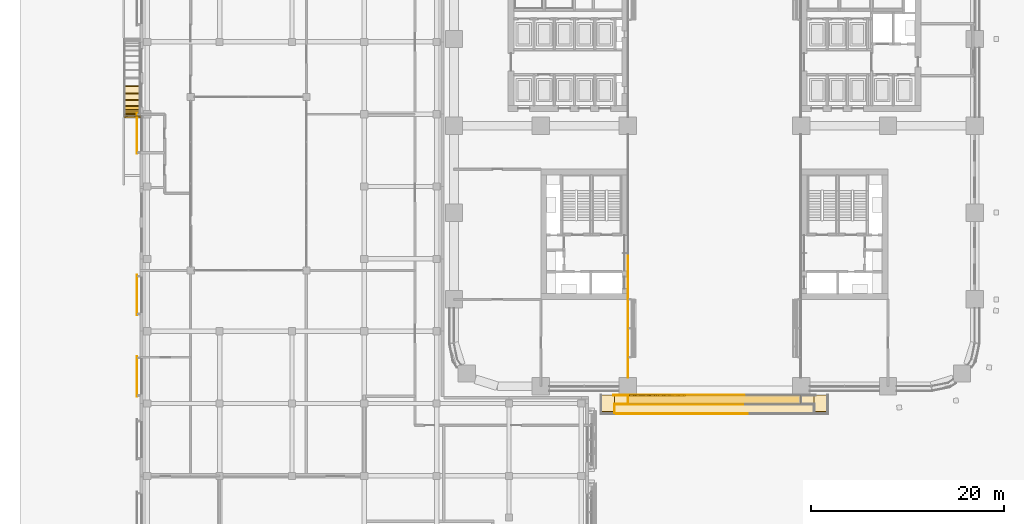
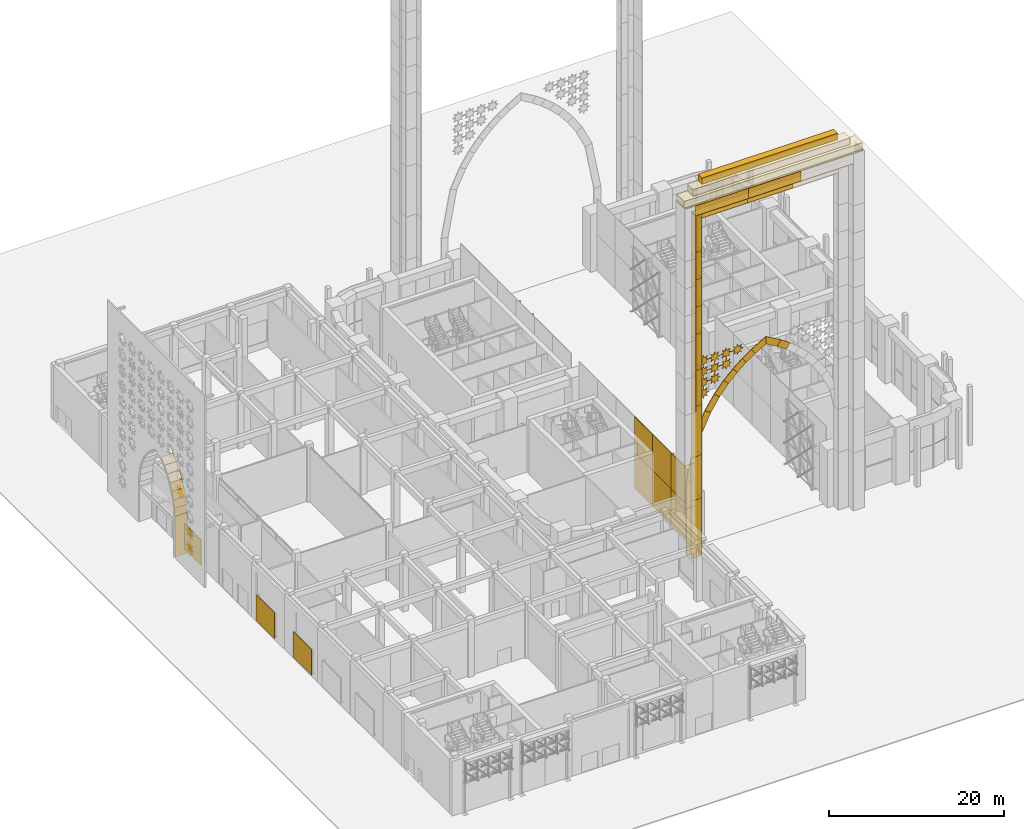
# One storey, part 50 of 64: 72 coverings.
"""IFC4 building model written with IfcOpenShell, lengths in metres."""

from ifc_helpers import new_model, si_unit, direction, frame, origin, origin_2d, place, context, subcontext, project, spatial, polyline, rectangle, outline, extrude, material, layer, layer_set, type_object, element, save


model = new_model("IFC4")

# Units and contexts
model_context = context("Model", 3, precision=1e-05, world=origin(), true_north=direction((0.0, 1.0)))
body_context = subcontext(model_context, "Body", "Model", "MODEL_VIEW")
ifc_project = project(units=[si_unit("LENGTHUNIT", "METRE"), si_unit("AREAUNIT", "SQUARE_METRE"), si_unit("VOLUMEUNIT", "CUBIC_METRE"), si_unit("PLANEANGLEUNIT", "RADIAN"), si_unit("MASSUNIT", "GRAM", prefix="KILO")], contexts=[model_context])

# Site, building, storey
site_placement = place(None, origin())
site = spatial("IfcSite", under=ifc_project, at=site_placement, CompositionType="ELEMENT")
building_placement = place(site_placement, origin())
building = spatial("IfcBuilding", under=site, at=building_placement, Name="Tessera Arch", CompositionType="ELEMENT")
storey_placement = place(building_placement, origin())
storey = spatial("IfcBuildingStorey", under=building, at=storey_placement, Name="L00", CompositionType="ELEMENT", Elevation=0.0)

# Coverings
ifc_material_1 = material(Name="Aluminium cladding pale metal anodised", Category="aluminium")
ifc_layer_1 = layer(ifc_material_1, 0.070068359375)
ifc_layer_set_1 = layer_set([ifc_layer_1], Name="Arch jamb panel")
covering_type_1 = type_object("IfcCoveringType", Name="Arch jamb panel", PredefinedType="CLADDING", material=ifc_layer_set_1)
for number, where, z_axis, x_axis, name in (
    (1, (18.034912109375, 3.0, 0.0), (0.0, 0.0, 1.0), (1.0, 0.0, 0.0), "Arch jamb panel W1-1"),
    (2, (18.034912109375, 7.199951171875, 0.0), (0.0, 0.0, 1.0), (1.0, 0.0, 0.0), "Arch jamb panel W1-2"),
    (3, (18.034912109375, 11.39990234375, 0.0), (0.0, 0.0, 1.0), (1.0, 0.0, 0.0), "Arch jamb panel W1-3"),
    (4, (18.034912109375, 3.0, 5.0), (0.0, 0.0, 1.0), (1.0, 0.0, 0.0), "Arch jamb panel W2-1"),
    (5, (18.034912109375, 7.199951171875, 5.0), (0.0, 0.0, 1.0), (1.0, 0.0, 0.0), "Arch jamb panel W2-2"),
    (6, (18.034912109375, 11.39990234375, 5.0), (0.0, 0.0, 1.0), (1.0, 0.0, 0.0), "Arch jamb panel W2-3"),
):
    element("IfcCovering", number, at=place(storey_placement, frame(where, z_axis=z_axis, x_axis=x_axis)), inside=storey, type_object=covering_type_1, Name=name, PredefinedType="CLADDING", context=body_context, shape_type="SweptSolid", body=[
        extrude(rectangle(XDim=0.070068359375, YDim=4.199951171875, at=origin_2d()), origin(), (0.0, 0.0, 1.0), 5.0),
    ])
covering_1_placement = place(storey_placement, frame((16.5, -0.89990234375, 0.0), z_axis=(0.0, 1.0, 0.0), x_axis=(0.0, 0.0, 1.0)))
element("IfcCovering", 7, at=covering_1_placement, inside=storey, type_object=covering_type_1, Name="Arch surround panel S1", PredefinedType="CLADDING", context=body_context, shape_type="SweptSolid", body=[
    extrude(outline(polyline([(0.0, 0.0), (10.1376953125, 0.0), (10.054931640625, 0.89990234375), (0.0, 0.89990234375), (0.0, 0.0)])), origin(), (0.0, 0.0, -1.0), 0.070068359375),
])
covering_2_placement = place(storey_placement, frame((16.5, -0.89990234375, 10.1376953125), z_axis=(0.0, 1.0, 0.0), x_axis=(0.181913561756, 0.0, 0.983314525495)))
element("IfcCovering", 8, at=covering_2_placement, inside=storey, type_object=covering_type_1, Name="Arch surround panel S2", PredefinedType="CLADDING", context=body_context, shape_type="SweptSolid", body=[
    extrude(outline(polyline([(0.0, 0.0), (6.518431084421827, 0.0), (6.400641322761056, 0.8999693615443882), (0.08232171984570485, 0.8999428804711004), (0.0, 0.0)])), origin(), (0.0, 0.0, -1.0), 0.070068359375),
])
covering_3_placement = place(storey_placement, frame((17.685791015625, -0.89990234375, 16.54736328125), z_axis=(0.0, 1.0, 0.0), x_axis=(0.428714417709, 0.0, 0.903440063341)))
element("IfcCovering", 9, at=covering_3_placement, inside=storey, type_object=covering_type_1, Name="Arch surround panel S3", PredefinedType="CLADDING", context=body_context, shape_type="SweptSolid", body=[
    extrude(outline(polyline([(0.0, 0.0), (2.923666471141933, 0.0), (2.861351818976402, 0.8999956676001479), (0.11765723215593471, 0.899986697341755), (0.0, 0.0)])), origin(), (0.0, 0.0, -1.0), 0.070068359375),
])
covering_4_placement = place(storey_placement, frame((18.939208984375, -0.89990234375, 19.188720703125), z_axis=(0.0, 1.0, 0.0), x_axis=(0.548618314937, 0.0, 0.836072930141)))
element("IfcCovering", 10, at=covering_4_placement, inside=storey, type_object=covering_type_1, Name="Arch surround panel S4", PredefinedType="CLADDING", context=body_context, shape_type="SweptSolid", body=[
    extrude(outline(polyline([(0.0, 0.0), (2.237955186138665, 0.0), (2.187581088333273, 0.900028742890007), (0.06176062400577176, 0.9000338565276114), (0.0, 0.0)])), origin(), (0.0, 0.0, -1.0), 0.070068359375),
])
covering_5_placement = place(storey_placement, frame((20.1669921875, -0.89990234375, 21.059814453125), z_axis=(0.0, 1.0, 0.0), x_axis=(0.638769582701, 0.0, 0.769398089558)))
element("IfcCovering", 11, at=covering_5_placement, inside=storey, type_object=covering_type_1, Name="Arch surround panel S5", PredefinedType="CLADDING", context=body_context, shape_type="SweptSolid", body=[
    extrude(outline(polyline([(0.0, 0.0), (1.9194311250153056, 1.1102230246251565e-16), (1.8751377728644085, 0.8998667340954596), (0.050702657338968116, 0.9000102934392699), (0.0, 0.0)])), origin(), (0.0, 0.0, -1.0), 0.070068359375),
])
covering_6_placement = place(storey_placement, frame((21.39306640625, -0.89990234375, 22.53662109375), z_axis=(0.0, 1.0, 0.0), x_axis=(0.711204209047, 0.0, 0.702985471425)))
element("IfcCovering", 12, at=covering_6_placement, inside=storey, type_object=covering_type_1, Name="Arch surround panel S6", PredefinedType="CLADDING", context=body_context, shape_type="SweptSolid", body=[
    extrude(outline(polyline([(0.0, 0.0), (1.7229113400740967, 1.1102230246251565e-16), (1.6825658792392937, 0.9000154249694001), (0.044245528045353866, 0.8998690868256223), (0.0, 0.0)])), origin(), (0.0, 0.0, -1.0), 0.070068359375),
])
covering_7_placement = place(storey_placement, frame((22.618408203125, -0.89990234375, 23.747802734375), z_axis=(0.0, 1.0, 0.0), x_axis=(0.771224222896, 0.0, 0.636563585213)))
element("IfcCovering", 13, at=covering_7_placement, inside=storey, type_object=covering_type_1, Name="Arch surround panel S7", PredefinedType="CLADDING", context=body_context, shape_type="SweptSolid", body=[
    extrude(outline(polyline([(0.0, 0.0), (1.5881937823812913, 0.0), (1.5507891505665587, 0.8998200398357961), (0.04030703885062864, 0.900017146509952), (0.0, 0.0)])), origin(), (0.0, 0.0, -1.0), 0.070068359375),
])
covering_8_placement = place(storey_placement, frame((23.84326171875, -0.89990234375, 24.7587890625), z_axis=(0.0, 1.0, 0.0), x_axis=(0.821448798581, 0.0, 0.570282273362)))
element("IfcCovering", 14, at=covering_8_placement, inside=storey, type_object=covering_type_1, Name="Arch surround panel S8", PredefinedType="CLADDING", context=body_context, shape_type="SweptSolid", body=[
    extrude(outline(polyline([(0.0, 0.0), (1.491089301903654, 1.1102230246251565e-16), (1.4556363759165294, 0.8999992579248781), (0.03748975575044444, 0.8998164972843414), (0.0, 0.0)])), origin(), (0.0, 0.0, -1.0), 0.070068359375),
])
covering_9_placement = place(storey_placement, frame((25.068115234375, -0.89990234375, 25.609130859375), z_axis=(0.0, 1.0, 0.0), x_axis=(0.863632400634, 0.0, 0.50412208499)))
element("IfcCovering", 15, at=covering_9_placement, inside=storey, type_object=covering_type_1, Name="Arch surround panel S9", PredefinedType="CLADDING", context=body_context, shape_type="SweptSolid", body=[
    extrude(outline(polyline([(0.0, 0.0), (2.236929466989232, 0.0), (1.7115151162021536, 0.9001090620866317), (0.03521954200496363, 0.900008421120236), (0.0, 0.0)])), origin(), (0.0, 0.0, -1.0), 0.070068359375),
])
covering_10_placement = place(storey_placement, frame((27.0, -0.89990234375, 26.73681640625), z_axis=(0.0, 1.0, 0.0), x_axis=(0.863632400634, 0.0, -0.50412208499)))
element("IfcCovering", 16, at=covering_10_placement, inside=storey, type_object=covering_type_1, Name="Arch surround panel S10", PredefinedType="CLADDING", context=body_context, shape_type="SweptSolid", body=[
    extrude(outline(polyline([(0.0, 0.0), (2.236929466989232, 0.0), (2.2017099249842684, 0.9000084211202362), (0.5254143507870784, 0.9001090620866317), (0.0, 0.0)])), origin(), (0.0, 0.0, -1.0), 0.070068359375),
])
covering_11_placement = place(storey_placement, frame((28.931884765625, -0.89990234375, 25.609130859375), z_axis=(0.0, 1.0, 0.0), x_axis=(0.821448798581, 0.0, -0.570282273362)))
element("IfcCovering", 17, at=covering_11_placement, inside=storey, type_object=covering_type_1, Name="Arch surround panel S11", PredefinedType="CLADDING", context=body_context, shape_type="SweptSolid", body=[
    extrude(outline(polyline([(0.0, 0.0), (1.491089301903654, -1.1102230246251565e-16), (1.4535995461532096, 0.8998164972843414), (0.03545292598712457, 0.8999992579248779), (0.0, 0.0)])), origin(), (0.0, 0.0, -1.0), 0.070068359375),
])
for number, where, z_axis, x_axis, name in (
    (18, (20.066650390625, -2.864990234375, 48.300048828125), (0.0, 0.0, 1.0), (1.0, 0.0, 0.0), "Gate frame panel S19"),
    (19, (27.0, -2.864990234375, 48.300048828125), (0.0, 0.0, 1.0), (1.0, 0.0, 0.0), "Gate frame panel S20"),
):
    element("IfcCovering", number, at=place(storey_placement, frame(where, z_axis=z_axis, x_axis=x_axis)), inside=storey, type_object=covering_type_1, Name=name, PredefinedType="CLADDING", context=body_context, shape_type="SweptSolid", body=[
        extrude(rectangle(XDim=6.933349609375, YDim=0.070068359375, at=origin_2d()), origin(), (0.0, 0.0, 1.0), 1.39990234375),
    ])
covering_12_placement = place(storey_placement, frame((27.0, -1.864990234375, 49.6298828125), z_axis=(0.0, 0.0, 1.0), x_axis=(1.0, 0.0, 0.0)))
element("IfcCovering", 20, at=covering_12_placement, inside=storey, type_object=covering_type_1, Name="Gate frame reveal S40", PredefinedType="CLADDING", context=body_context, shape_type="SweptSolid", body=[
    extrude(rectangle(XDim=23.4599609375, YDim=1.929931640625, at=origin_2d()), origin(), (0.0, 0.0, 1.0), 0.070068359375),
])
for number, where, z_axis, x_axis, name in (
    (21, (16.635009765625, -2.364990234375, 21.0), (0.0, 0.0, 1.0), (1.0, 0.0, 0.0), "Gate frame reveal S44"),
    (22, (16.635009765625, -2.364990234375, 26.0), (0.0, 0.0, 1.0), (1.0, 0.0, 0.0), "Gate frame reveal S45"),
):
    element("IfcCovering", number, at=place(storey_placement, frame(where, z_axis=z_axis, x_axis=x_axis)), inside=storey, type_object=covering_type_1, Name=name, PredefinedType="CLADDING", context=body_context, shape_type="SweptSolid", body=[
        extrude(rectangle(XDim=0.070068359375, YDim=0.929931640625, at=origin_2d()), origin(), (0.0, 0.0, 1.0), 5.0),
    ])
for number, where, z_axis, x_axis, name in (
    (23, (16.635009765625, -2.364990234375, 31.0), (0.0, 0.0, 1.0), (1.0, 0.0, 0.0), "Gate frame reveal S46"),
    (24, (16.635009765625, -2.364990234375, 34.7998046875), (0.0, 0.0, 1.0), (1.0, 0.0, 0.0), "Gate frame reveal S47"),
    (25, (16.635009765625, -2.364990234375, 38.60009765625), (0.0, 0.0, 1.0), (1.0, 0.0, 0.0), "Gate frame reveal S48"),
):
    element("IfcCovering", number, at=place(storey_placement, frame(where, z_axis=z_axis, x_axis=x_axis)), inside=storey, type_object=covering_type_1, Name=name, PredefinedType="CLADDING", context=body_context, shape_type="SweptSolid", body=[
        extrude(rectangle(XDim=0.070068359375, YDim=0.929931640625, at=origin_2d()), origin(), (0.0, 0.0, 1.0), 3.800048828125),
    ])
covering_13_placement = place(storey_placement, frame((16.635009765625, -2.364990234375, 42.400146484375), z_axis=(0.0, 0.0, 1.0), x_axis=(1.0, 0.0, 0.0)))
element("IfcCovering", 26, at=covering_13_placement, inside=storey, type_object=covering_type_1, Name="Gate frame reveal S49", PredefinedType="CLADDING", context=body_context, shape_type="SweptSolid", body=[
    extrude(rectangle(XDim=0.070068359375, YDim=0.929931640625, at=origin_2d()), origin(), (0.0, 0.0, 1.0), 5.89990234375),
])
covering_14_placement = place(storey_placement, frame((27.0, -2.364990234375, 48.22998046875), z_axis=(0.0, 0.0, 1.0), x_axis=(1.0, 0.0, 0.0)))
element("IfcCovering", 27, at=covering_14_placement, inside=storey, type_object=covering_type_1, Name="Gate frame reveal S59", PredefinedType="CLADDING", context=body_context, shape_type="SweptSolid", body=[
    extrude(rectangle(XDim=20.659912109375, YDim=0.929931640625, at=origin_2d()), origin(), (0.0, 0.0, 1.0), 0.070068359375),
])
covering_15_placement = place(storey_placement, frame((17.300048828125, -1.864990234375, 0.0), z_axis=(0.0, 0.0, 1.0), x_axis=(1.0, 0.0, 0.0)))
element("IfcCovering", 28, at=covering_15_placement, inside=storey, type_object=covering_type_1, Name="Gate frame panel S60", PredefinedType="CLADDING", context=body_context, shape_type="SweptSolid", body=[
    extrude(rectangle(XDim=1.39990234375, YDim=0.070068359375, at=origin_2d()), origin(), (0.0, 0.0, 1.0), 8.0),
])
covering_16_placement = place(storey_placement, frame((17.300048828125, -1.864990234375, 8.0), z_axis=(0.0, 0.0, 1.0), x_axis=(1.0, 0.0, 0.0)))
element("IfcCovering", 29, at=covering_16_placement, inside=storey, type_object=covering_type_1, Name="Gate frame panel S61", PredefinedType="CLADDING", context=body_context, shape_type="SweptSolid", body=[
    extrude(rectangle(XDim=1.39990234375, YDim=0.070068359375, at=origin_2d()), origin(), (0.0, 0.0, 1.0), 6.0),
])
covering_17_placement = place(storey_placement, frame((17.300048828125, -1.864990234375, 14.0), z_axis=(0.0, 0.0, 1.0), x_axis=(1.0, 0.0, 0.0)))
element("IfcCovering", 30, at=covering_17_placement, inside=storey, type_object=covering_type_1, Name="Gate frame panel S62", PredefinedType="CLADDING", context=body_context, shape_type="SweptSolid", body=[
    extrude(rectangle(XDim=1.39990234375, YDim=0.070068359375, at=origin_2d()), origin(), (0.0, 0.0, 1.0), 7.0),
])
for number, where, z_axis, x_axis, name in (
    (31, (17.300048828125, -1.864990234375, 21.0), (0.0, 0.0, 1.0), (1.0, 0.0, 0.0), "Gate frame panel S63"),
    (32, (17.300048828125, -1.864990234375, 26.0), (0.0, 0.0, 1.0), (1.0, 0.0, 0.0), "Gate frame panel S64"),
):
    element("IfcCovering", number, at=place(storey_placement, frame(where, z_axis=z_axis, x_axis=x_axis)), inside=storey, type_object=covering_type_1, Name=name, PredefinedType="CLADDING", context=body_context, shape_type="SweptSolid", body=[
        extrude(rectangle(XDim=1.39990234375, YDim=0.070068359375, at=origin_2d()), origin(), (0.0, 0.0, 1.0), 5.0),
    ])
for number, where, z_axis, x_axis, name in (
    (33, (17.300048828125, -1.864990234375, 31.0), (0.0, 0.0, 1.0), (1.0, 0.0, 0.0), "Gate frame panel S65"),
    (34, (17.300048828125, -1.864990234375, 34.7998046875), (0.0, 0.0, 1.0), (1.0, 0.0, 0.0), "Gate frame panel S66"),
    (35, (17.300048828125, -1.864990234375, 38.60009765625), (0.0, 0.0, 1.0), (1.0, 0.0, 0.0), "Gate frame panel S67"),
):
    element("IfcCovering", number, at=place(storey_placement, frame(where, z_axis=z_axis, x_axis=x_axis)), inside=storey, type_object=covering_type_1, Name=name, PredefinedType="CLADDING", context=body_context, shape_type="SweptSolid", body=[
        extrude(rectangle(XDim=1.39990234375, YDim=0.070068359375, at=origin_2d()), origin(), (0.0, 0.0, 1.0), 3.800048828125),
    ])
covering_18_placement = place(storey_placement, frame((17.300048828125, -1.864990234375, 42.400146484375), z_axis=(0.0, 0.0, 1.0), x_axis=(1.0, 0.0, 0.0)))
element("IfcCovering", 36, at=covering_18_placement, inside=storey, type_object=covering_type_1, Name="Gate frame panel S68", PredefinedType="CLADDING", context=body_context, shape_type="SweptSolid", body=[
    extrude(rectangle(XDim=1.39990234375, YDim=0.070068359375, at=origin_2d()), origin(), (0.0, 0.0, 1.0), 5.89990234375),
])
for number, where, z_axis, x_axis, name in (
    (37, (21.0, -1.864990234375, 46.900146484375), (0.0, 0.0, 1.0), (1.0, 0.0, 0.0), "Gate frame panel S78"),
    (38, (27.0, -1.864990234375, 46.900146484375), (0.0, 0.0, 1.0), (1.0, 0.0, 0.0), "Gate frame panel S79"),
):
    element("IfcCovering", number, at=place(storey_placement, frame(where, z_axis=z_axis, x_axis=x_axis)), inside=storey, type_object=covering_type_1, Name=name, PredefinedType="CLADDING", context=body_context, shape_type="SweptSolid", body=[
        extrude(rectangle(XDim=6.0, YDim=0.070068359375, at=origin_2d()), origin(), (0.0, 0.0, 1.0), 1.39990234375),
    ])
covering_19_placement = place(storey_placement, frame((18.034912109375, -1.364990234375, 0.0), z_axis=(0.0, 0.0, 1.0), x_axis=(1.0, 0.0, 0.0)))
element("IfcCovering", 39, at=covering_19_placement, inside=storey, type_object=covering_type_1, Name="Gate frame reveal S81", PredefinedType="CLADDING", context=body_context, shape_type="SweptSolid", body=[
    extrude(rectangle(XDim=0.070068359375, YDim=0.929931640625, at=origin_2d()), origin(), (0.0, 0.0, 1.0), 8.0),
])
covering_20_placement = place(storey_placement, frame((18.034912109375, -1.364990234375, 8.0), z_axis=(0.0, 0.0, 1.0), x_axis=(1.0, 0.0, 0.0)))
element("IfcCovering", 40, at=covering_20_placement, inside=storey, type_object=covering_type_1, Name="Gate frame reveal S82", PredefinedType="CLADDING", context=body_context, shape_type="SweptSolid", body=[
    extrude(rectangle(XDim=0.070068359375, YDim=0.929931640625, at=origin_2d()), origin(), (0.0, 0.0, 1.0), 6.0),
])
covering_21_placement = place(storey_placement, frame((18.034912109375, -1.364990234375, 14.0), z_axis=(0.0, 0.0, 1.0), x_axis=(1.0, 0.0, 0.0)))
element("IfcCovering", 41, at=covering_21_placement, inside=storey, type_object=covering_type_1, Name="Gate frame reveal S83", PredefinedType="CLADDING", context=body_context, shape_type="SweptSolid", body=[
    extrude(rectangle(XDim=0.070068359375, YDim=0.929931640625, at=origin_2d()), origin(), (0.0, 0.0, 1.0), 7.0),
])
for number, where, z_axis, x_axis, name in (
    (42, (18.034912109375, -1.364990234375, 21.0), (0.0, 0.0, 1.0), (1.0, 0.0, 0.0), "Gate frame reveal S84"),
    (43, (18.034912109375, -1.364990234375, 26.0), (0.0, 0.0, 1.0), (1.0, 0.0, 0.0), "Gate frame reveal S85"),
):
    element("IfcCovering", number, at=place(storey_placement, frame(where, z_axis=z_axis, x_axis=x_axis)), inside=storey, type_object=covering_type_1, Name=name, PredefinedType="CLADDING", context=body_context, shape_type="SweptSolid", body=[
        extrude(rectangle(XDim=0.070068359375, YDim=0.929931640625, at=origin_2d()), origin(), (0.0, 0.0, 1.0), 5.0),
    ])
for number, where, z_axis, x_axis, name in (
    (44, (18.034912109375, -1.364990234375, 31.0), (0.0, 0.0, 1.0), (1.0, 0.0, 0.0), "Gate frame reveal S86"),
    (45, (18.034912109375, -1.364990234375, 34.7998046875), (0.0, 0.0, 1.0), (1.0, 0.0, 0.0), "Gate frame reveal S87"),
    (46, (18.034912109375, -1.364990234375, 38.60009765625), (0.0, 0.0, 1.0), (1.0, 0.0, 0.0), "Gate frame reveal S88"),
):
    element("IfcCovering", number, at=place(storey_placement, frame(where, z_axis=z_axis, x_axis=x_axis)), inside=storey, type_object=covering_type_1, Name=name, PredefinedType="CLADDING", context=body_context, shape_type="SweptSolid", body=[
        extrude(rectangle(XDim=0.070068359375, YDim=0.929931640625, at=origin_2d()), origin(), (0.0, 0.0, 1.0), 3.800048828125),
    ])
covering_22_placement = place(storey_placement, frame((18.034912109375, -1.364990234375, 42.39990234375), z_axis=(0.0, 0.0, 1.0), x_axis=(1.0, 0.0, 0.0)))
element("IfcCovering", 47, at=covering_22_placement, inside=storey, type_object=covering_type_1, Name="Gate frame reveal S89", PredefinedType="CLADDING", context=body_context, shape_type="SweptSolid", body=[
    extrude(rectangle(XDim=0.070068359375, YDim=0.929931640625, at=origin_2d()), origin(), (0.0, 0.0, 1.0), 4.5),
])
covering_23_placement = place(storey_placement, frame((27.0, -1.364990234375, 46.830078125), z_axis=(0.0, 0.0, 1.0), x_axis=(1.0, 0.0, 0.0)))
element("IfcCovering", 48, at=covering_23_placement, inside=storey, type_object=covering_type_1, Name="Gate frame reveal S99", PredefinedType="CLADDING", context=body_context, shape_type="SweptSolid", body=[
    extrude(rectangle(XDim=17.860107421875, YDim=0.929931640625, at=origin_2d()), origin(), (0.0, 0.0, 1.0), 0.070068359375),
])
covering_24_placement = place(storey_placement, frame((27.0, -1.75, 49.699951171875), z_axis=(0.0, 0.0, 1.0), x_axis=(1.0, 0.0, 0.0)))
element("IfcCovering", 49, at=covering_24_placement, inside=storey, type_object=covering_type_1, Name="Gate frame corbel S1", PredefinedType="CLADDING", context=body_context, shape_type="SweptSolid", body=[
    extrude(rectangle(XDim=23.4599609375, YDim=1.699951171875, at=origin_2d()), origin(), (0.0, 0.0, 1.0), 0.89990234375),
])
covering_25_placement = place(storey_placement, frame((27.0, -1.550048828125, 50.60009765625), z_axis=(0.0, 0.0, 1.0), x_axis=(1.0, 0.0, 0.0)))
element("IfcCovering", 50, at=covering_25_placement, inside=storey, type_object=covering_type_1, Name="Gate frame corbel S2", PredefinedType="CLADDING", context=body_context, shape_type="SweptSolid", body=[
    extrude(rectangle(XDim=20.659912109375, YDim=1.300048828125, at=origin_2d()), origin(), (0.0, 0.0, 1.0), 0.89990234375),
])
covering_26_placement = place(storey_placement, frame((27.0, -1.35009765625, 51.5), z_axis=(0.0, 0.0, 1.0), x_axis=(1.0, 0.0, 0.0)))
element("IfcCovering", 51, at=covering_26_placement, inside=storey, type_object=covering_type_1, Name="Gate frame corbel S3", PredefinedType="CLADDING", context=body_context, shape_type="SweptSolid", body=[
    extrude(rectangle(XDim=17.860107421875, YDim=0.89990234375, at=origin_2d()), origin(), (0.0, 0.0, 1.0), 0.89990234375),
])
for number, where, z_axis, x_axis, name in (
    (52, (19.096435546875, -0.89990234375, 21.6064453125), (0.0, 1.0, 0.0), (0.429335917251, 0.0, -0.903144877723), "Gate lattice star S1"),
    (53, (19.096435546875, -0.89990234375, 23.1064453125), (0.0, 1.0, 0.0), (0.429335917251, 0.0, -0.903144877723), "Gate lattice star S3"),
    (54, (20.596435546875, -0.89990234375, 23.1064453125), (0.0, 1.0, 0.0), (0.429335917251, 0.0, -0.903144877723), "Gate lattice star S4"),
    (55, (19.096435546875, -0.89990234375, 24.6064453125), (0.0, 1.0, 0.0), (0.429335917251, 0.0, -0.903144877723), "Gate lattice star S7"),
    (56, (20.596435546875, -0.89990234375, 24.6064453125), (0.0, 1.0, 0.0), (0.429335917251, 0.0, -0.903144877723), "Gate lattice star S8"),
    (57, (22.096435546875, -0.89990234375, 24.6064453125), (0.0, 1.0, 0.0), (0.429335917251, 0.0, -0.903144877723), "Gate lattice star S9"),
    (58, (19.096435546875, -0.89990234375, 26.1064453125), (0.0, 1.0, 0.0), (0.429335917251, 0.0, -0.903144877723), "Gate lattice star S13"),
    (59, (20.596435546875, -0.89990234375, 26.1064453125), (0.0, 1.0, 0.0), (0.429335917251, 0.0, -0.903144877723), "Gate lattice star S14"),
    (60, (22.096435546875, -0.89990234375, 26.1064453125), (0.0, 1.0, 0.0), (0.429335917251, 0.0, -0.903144877723), "Gate lattice star S15"),
    (61, (23.596435546875, -0.89990234375, 26.1064453125), (0.0, 1.0, 0.0), (0.429335917251, 0.0, -0.903144877723), "Gate lattice star S16"),
):
    element("IfcCovering", number, at=place(storey_placement, frame(where, z_axis=z_axis, x_axis=x_axis)), inside=storey, type_object=covering_type_1, Name=name, PredefinedType="CLADDING", context=body_context, shape_type="SweptSolid", body=[
        extrude(outline(polyline([(0.0, 0.0), (0.4281912675791182, 0.0), (0.09612676908020587, 0.2703348487851277), (0.3989707543178125, 0.5732502441263141), (-0.02713959778681463, 0.5296362101627644), (-0.02713959778681463, 0.9578274777418826), (-0.2974744465719423, 0.6257629792429703), (-0.6003898419131287, 0.928606964480577), (-0.556775807949579, 0.5024966123759498), (-0.9849670755286972, 0.5024966123759498), (-0.6529025770297849, 0.2321617635908221), (-0.9557465622673916, -0.07075363175036431), (-0.5296362101627644, -0.02713959778681463), (-0.5296362101627644, -0.4553308653659328), (-0.2593013613776367, -0.12326636686702049), (0.043614033963549736, -0.42611035210462717), (0.0, 0.0)])), origin(), (0.0, 0.0, -1.0), 0.070068359375),
    ])
ifc_material_2 = material(Name="Anodised aluminium pale metal", Category="aluminium")
ifc_layer_2 = layer(ifc_material_2, 0.1201171875)
ifc_layer_set_2 = layer_set([ifc_layer_2], Name="Museum iwan reveal plate")
covering_type_2 = type_object("IfcCoveringType", Name="Museum iwan reveal plate", PredefinedType="CLADDING", material=ifc_layer_set_2)
for number, where, z_axis, x_axis, name in (
    (62, (-32.550048828125, 31.079833984375, 11.94677734375), (0.0, -0.659396175513, 0.751795639598), (0.0, -0.751795639598, -0.659396175513), "Museum entrance iwan reveal 11"),
    (63, (-32.550048828125, 30.293212890625, 11.2568359375), (0.0, -0.751795639598, 0.659396175513), (0.0, -0.659396175513, -0.751795639598), "Museum entrance iwan reveal 12"),
):
    element("IfcCovering", number, at=place(storey_placement, frame(where, z_axis=z_axis, x_axis=x_axis)), inside=storey, type_object=covering_type_2, Name=name, PredefinedType="CLADDING", context=body_context, shape_type="SweptSolid", body=[
        extrude(outline(polyline([(0.0, 0.0), (1.0463230329065083, 0.0), (1.0463230329065083, -1.599853515625), (0.0, -1.599853515625), (0.0, 0.0)])), origin(), (0.0, 0.0, -1.0), 0.1201171875),
    ])
covering_27_placement = place(storey_placement, frame((-32.550048828125, 29.603271484375, 10.47021484375), z_axis=(0.0, -0.831403728747, 0.555668822075), x_axis=(0.0, -0.555668822075, -0.831403728747)))
element("IfcCovering", 64, at=covering_27_placement, inside=storey, type_object=covering_type_2, Name="Museum entrance iwan reveal 13", PredefinedType="CLADDING", context=body_context, shape_type="SweptSolid", body=[
    extrude(outline(polyline([(0.0, 0.0), (1.0465639705653325, 0.0), (1.0465639705653325, -1.599853515625), (0.0, -1.599853515625), (0.0, 0.0)])), origin(), (0.0, 0.0, -1.0), 0.1201171875),
])
covering_28_placement = place(storey_placement, frame((-32.550048828125, 29.021728515625, 9.60009765625), z_axis=(0.0, -0.896932990007, 0.442166497415), x_axis=(0.0, -0.442166497415, -0.896932990007)))
element("IfcCovering", 65, at=covering_28_placement, inside=storey, type_object=covering_type_2, Name="Museum entrance iwan reveal 14", PredefinedType="CLADDING", context=body_context, shape_type="SweptSolid", body=[
    extrude(outline(polyline([(0.0, 0.0), (1.0463173647925201, 0.0), (1.0463173647925201, -1.5998535156250004), (0.0, -1.5998535156250004), (0.0, 0.0)])), origin(), (0.0, 0.0, -1.0), 0.1201171875),
])
covering_29_placement = place(storey_placement, frame((-32.550048828125, 28.55908203125, 8.66162109375), z_axis=(0.0, -0.946919111012, 0.321471922881), x_axis=(0.0, -0.321471922881, -0.946919111012)))
element("IfcCovering", 66, at=covering_29_placement, inside=storey, type_object=covering_type_2, Name="Museum entrance iwan reveal 15", PredefinedType="CLADDING", context=body_context, shape_type="SweptSolid", body=[
    extrude(outline(polyline([(0.0, 0.0), (1.0465168411441694, 0.0), (1.0465168411441694, -1.599853515625), (0.0, -1.599853515625), (0.0, 0.0)])), origin(), (0.0, 0.0, -1.0), 0.1201171875),
])
covering_30_placement = place(storey_placement, frame((-32.550048828125, 28.22265625, 7.670654296875), z_axis=(0.0, -0.980750786288, 0.195263655595), x_axis=(0.0, -0.195263655595, -0.980750786288)))
element("IfcCovering", 67, at=covering_30_placement, inside=storey, type_object=covering_type_2, Name="Museum entrance iwan reveal 16", PredefinedType="CLADDING", context=body_context, shape_type="SweptSolid", body=[
    extrude(outline(polyline([(0.0, 0.0), (1.0465117151577, 0.0), (1.0465117151577, -1.599853515625), (0.0, -1.599853515625), (0.0, 0.0)])), origin(), (0.0, 0.0, -1.0), 0.1201171875),
])
covering_31_placement = place(storey_placement, frame((-32.550048828125, 28.018310546875, 6.644287109375), z_axis=(0.0, -0.997863935765, 0.065326607906), x_axis=(0.0, -0.065326607906, -0.997863935765)))
element("IfcCovering", 68, at=covering_31_placement, inside=storey, type_object=covering_type_2, Name="Museum entrance iwan reveal 17", PredefinedType="CLADDING", context=body_context, shape_type="SweptSolid", body=[
    extrude(outline(polyline([(0.0, 0.0), (1.0464246834664583, 0.0), (1.0464246834664583, -1.599853515625), (0.0, -1.599853515625), (0.0, 0.0)])), origin(), (0.0, 0.0, -1.0), 0.1201171875),
])
covering_32_placement = place(storey_placement, frame((-32.550048828125, 27.949951171875, 5.60009765625), z_axis=(0.0, 1.0, 0.0), x_axis=(0.0, 0.0, -1.0)))
element("IfcCovering", 69, at=covering_32_placement, inside=storey, type_object=covering_type_2, Name="Museum entrance iwan reveal 18", PredefinedType="CLADDING", context=body_context, shape_type="SweptSolid", body=[
    extrude(outline(polyline([(0.0, 0.0), (5.60009765625, 0.0), (5.60009765625, 1.599853515625), (0.0, 1.599853515625), (0.0, 0.0)])), origin(), (0.0, 0.0, -1.0), 0.1201171875),
])
ifc_material_3 = material(Name="Anodised aluminium pale metal", Category="aluminium")
ifc_layer_3 = layer(ifc_material_3, 0.0400390625)
ifc_layer_set_3 = layer_set([ifc_layer_3], Name="Museum screen panel")
covering_type_3 = type_object("IfcCoveringType", Name="Museum screen panel", PredefinedType="CLADDING", material=ifc_layer_set_3)
for number, where, z_axis, x_axis, name in (
    (70, (-32.8701171875, 26.199951171875, 0.599853515625), (0.0, 0.0, 1.0), (0.0, -1.0, 0.0), "Screen panel museum L00 6-6"),
    (71, (-32.8701171875, 9.449951171875, 0.599853515625), (0.0, 0.0, 1.0), (0.0, -1.0, 0.0), "Screen panel museum L00 6-8"),
    (72, (-32.8701171875, 1.0, 0.599853515625), (0.0, 0.0, 1.0), (0.0, -1.0, 0.0), "Screen panel museum L00 6-9"),
):
    element("IfcCovering", number, at=place(storey_placement, frame(where, z_axis=z_axis, x_axis=x_axis)), inside=storey, type_object=covering_type_3, Name=name, PredefinedType="CLADDING", context=body_context, shape_type="SweptSolid", body=[
        extrude(rectangle(XDim=4.199951171875, YDim=0.0400390625, at=origin_2d()), origin(), (0.0, 0.0, 1.0), 3.60009765625),
    ])

save(model, "model.ifc")
